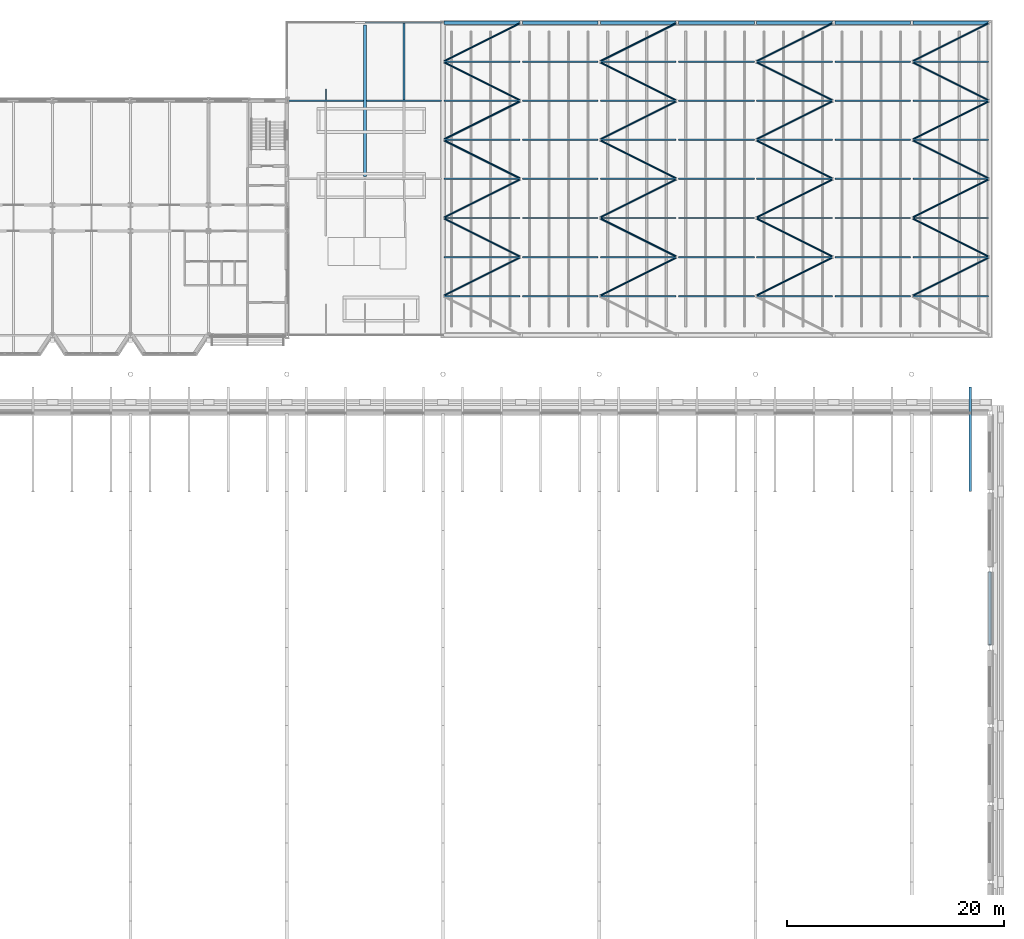
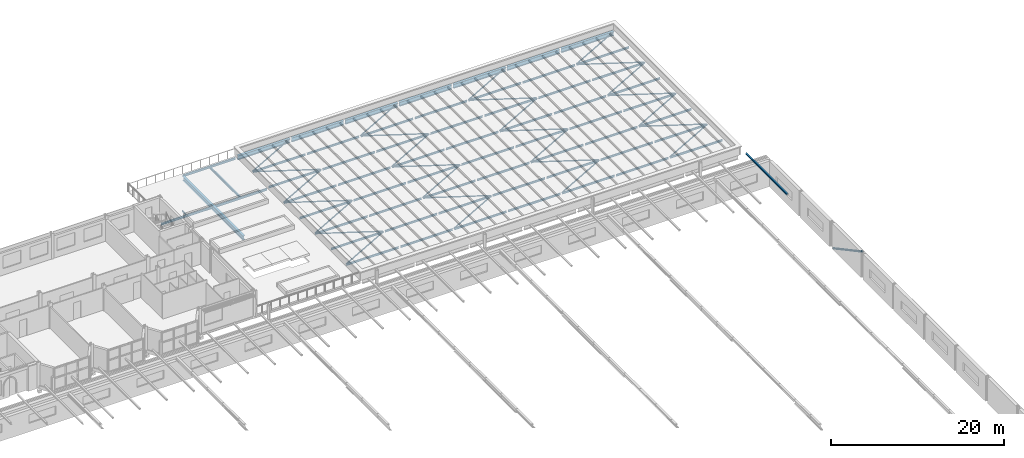
# One storey, part 32 of 110: 79 members, 13 beams.
"""IFC4 building model written with IfcOpenShell, lengths in metres."""

from ifc_helpers import new_model, si_unit, direction, frame, origin, origin_2d, place, context, subcontext, project, spatial, hollow_circle, i_section, extrude, material, material_profile, profile_set, type_object, element, save


model = new_model("IFC4")

# Units and contexts
model_context = context("Model", 3, precision=1e-05, world=origin(), true_north=direction((0.0, 1.0)))
body_context = subcontext(model_context, "Body", "Model", "MODEL_VIEW")
ifc_project = project(units=[si_unit("LENGTHUNIT", "METRE"), si_unit("AREAUNIT", "SQUARE_METRE"), si_unit("VOLUMEUNIT", "CUBIC_METRE"), si_unit("PLANEANGLEUNIT", "RADIAN"), si_unit("MASSUNIT", "GRAM", prefix="KILO")], contexts=[model_context])

# Site, building, storey
site_placement = place(None, origin())
site = spatial("IfcSite", under=ifc_project, at=site_placement, CompositionType="ELEMENT")
building_placement = place(site_placement, origin())
building = spatial("IfcBuilding", under=site, at=building_placement, Name="Kupolbacken Congress Centre", CompositionType="ELEMENT")
storey_placement = place(building_placement, frame((0.0, 0.0, 18.0)))
storey = spatial("IfcBuildingStorey", under=building, at=storey_placement, Name="L05", CompositionType="ELEMENT", Elevation=18.0)

# Beams
ifc_material_1 = material(Name="Steel S355", Category="steel")
ifc_material_profile_1 = material_profile(ifc_material_1, i_section(OverallWidth=0.10009765625, OverallDepth=0.199951171875, WebThickness=0.005615234375, FlangeThickness=0.008544921875, FilletRadius=0.011962890625, at=origin_2d()), Name="IPE 200")
ifc_profile_set_1 = profile_set([ifc_material_profile_1], Name="Steel S355")
beam_type_1 = type_object("IfcBeamType", Name="B01 beam IPE 200", PredefinedType="BEAM", material=ifc_profile_set_1)
beam_1_placement = place(storey_placement, frame((140.39990234375, 144.074951171875, -0.280029296875), z_axis=(0.0, 1.0, 0.0), x_axis=(-1.0, 0.0, 0.0)))
element("IfcBeam", 1, at=beam_1_placement, inside=storey, type_object=beam_type_1, Name="S/floor/BF/L05/S016", PredefinedType="BEAM", context=body_context, shape_type="SweptSolid", body=[
    extrude(i_section(OverallWidth=0.10009765625, OverallDepth=0.199951171875, WebThickness=0.005615234375, FlangeThickness=0.008544921875, FilletRadius=0.011962890625, at=origin_2d()), origin(), (0.0, 0.0, 1.0), 1.0),
])
ifc_material_2 = material(Name="Steel S355", Category="steel")
ifc_material_profile_2 = material_profile(ifc_material_2, i_section(OverallWidth=0.14990234375, OverallDepth=0.300048828125, WebThickness=0.007080078125, FlangeThickness=0.0107421875, FilletRadius=0.014892578125, at=origin_2d()), Name="IPE 300")
ifc_profile_set_2 = profile_set([ifc_material_profile_2], Name="Steel S355")
beam_type_2 = type_object("IfcBeamType", Name="B04 beam IPE 300", PredefinedType="BEAM", material=ifc_profile_set_2)
beam_2_placement = place(storey_placement, frame((136.949951171875, 144.0, -0.330078125), z_axis=(1.0, 0.0, 0.0), x_axis=(0.0, 1.0, 0.0)))
element("IfcBeam", 2, at=beam_2_placement, inside=storey, type_object=beam_type_2, Name="S/floor/BF/L05/R009", PredefinedType="BEAM", context=body_context, shape_type="SweptSolid", body=[
    extrude(i_section(OverallWidth=0.14990234375, OverallDepth=0.300048828125, WebThickness=0.007080078125, FlangeThickness=0.0107421875, FilletRadius=0.014892578125, at=origin_2d()), origin(), (0.0, 0.0, 1.0), 6.900146484375),
])
beam_3_placement = place(storey_placement, frame((144.14990234375, 144.0, -0.330078125), z_axis=(1.0, 0.0, 0.0), x_axis=(0.0, 1.0, 0.0)))
element("IfcBeam", 3, at=beam_3_placement, inside=storey, type_object=beam_type_2, Name="S/floor/BF/L05/R010", PredefinedType="BEAM", context=body_context, shape_type="SweptSolid", body=[
    extrude(i_section(OverallWidth=0.14990234375, OverallDepth=0.300048828125, WebThickness=0.007080078125, FlangeThickness=0.0107421875, FilletRadius=0.014892578125, at=origin_2d()), origin(), (0.0, 0.0, 1.0), 6.93017578125),
])
beam_4_placement = place(storey_placement, frame((144.007080078125, 151.199951171875, -0.330078125), z_axis=(1.0, 0.0, 0.0), x_axis=(0.0, 1.0, 0.0)))
element("IfcBeam", 4, at=beam_4_placement, inside=storey, type_object=beam_type_2, Name="S/floor/BF/L05/R012", PredefinedType="BEAM", context=body_context, shape_type="SweptSolid", body=[
    extrude(i_section(OverallWidth=0.14990234375, OverallDepth=0.300048828125, WebThickness=0.007080078125, FlangeThickness=0.0107421875, FilletRadius=0.014892578125, at=origin_2d()), origin(), (0.0, 0.0, 1.0), 7.072998046875),
])
beam_5_placement = place(storey_placement, frame((147.60009765625, 144.074951171875, -0.330078125), z_axis=(0.0, 1.0, 0.0), x_axis=(-1.0, 0.0, 0.0)))
element("IfcBeam", 5, at=beam_5_placement, inside=storey, type_object=beam_type_2, Name="S/floor/BF/L05/S020", PredefinedType="BEAM", context=body_context, shape_type="SweptSolid", body=[
    extrude(i_section(OverallWidth=0.14990234375, OverallDepth=0.300048828125, WebThickness=0.007080078125, FlangeThickness=0.0107421875, FilletRadius=0.014892578125, at=origin_2d()), origin(), (0.0, 0.0, 1.0), 7.050048828125),
])
ifc_material_3 = material(Name="Steel S355", Category="steel")
ifc_material_profile_3 = material_profile(ifc_material_3, i_section(OverallWidth=0.300048828125, OverallDepth=0.60009765625, WebThickness=0.015380859375, FlangeThickness=0.030029296875, FilletRadius=0.027099609375, at=origin_2d()), Name="HEB 600")
ifc_profile_set_3 = profile_set([ifc_material_profile_3], Name="Steel S355")
beam_type_3 = type_object("IfcBeamType", Name="B15 beam HEB 600", PredefinedType="BEAM", material=ifc_profile_set_3)
beam_6_placement = place(storey_placement, frame((144.0, 137.02490234375, -0.47998046875), z_axis=(0.0, 1.0, 0.0), x_axis=(-1.0, 0.0, 0.0)))
element("IfcBeam", 6, at=beam_6_placement, inside=storey, type_object=beam_type_3, Name="S/floor/BF/L05/G004", PredefinedType="BEAM", context=body_context, shape_type="SweptSolid", body=[
    extrude(i_section(OverallWidth=0.300048828125, OverallDepth=0.60009765625, WebThickness=0.015380859375, FlangeThickness=0.030029296875, FilletRadius=0.027099609375, at=origin_2d()), origin(), (0.0, 0.0, 1.0), 13.9501953125),
])
ifc_material_4 = material(Name="Steel S355", Category="steel")
ifc_material_profile_4 = material_profile(ifc_material_4, i_section(OverallWidth=0.300048828125, OverallDepth=0.590087890625, WebThickness=0.012939453125, FlangeThickness=0.02490234375, FilletRadius=0.027099609375, at=origin_2d()), Name="HEA 600")
ifc_profile_set_4 = profile_set([ifc_material_profile_4], Name="Steel S355")
beam_type_4 = type_object("IfcBeamType", Name="B21 beam HEA 600", PredefinedType="BEAM", material=ifc_profile_set_4)
for number, where, z_axis, x_axis, name in (
    (7, (151.31005859375, 151.199951171875, -0.294921875), (1.0, 0.0, 0.0), (0.0, 1.0, 0.0), "BR/E08-00"),
    (8, (158.510009765625, 151.199951171875, -0.294921875), (1.0, 0.0, 0.0), (0.0, 1.0, 0.0), "BR/E08-01"),
    (9, (165.7099609375, 151.199951171875, -0.294921875), (1.0, 0.0, 0.0), (0.0, 1.0, 0.0), "BR/E08-02"),
    (10, (172.909912109375, 151.199951171875, -0.294921875), (1.0, 0.0, 0.0), (0.0, 1.0, 0.0), "BR/E08-03"),
    (11, (180.110107421875, 151.199951171875, -0.294921875), (1.0, 0.0, 0.0), (0.0, 1.0, 0.0), "BR/E08-04"),
    (12, (187.31005859375, 151.199951171875, -0.294921875), (1.0, 0.0, 0.0), (0.0, 1.0, 0.0), "BR/E08-05"),
    (13, (194.510009765625, 151.199951171875, -0.294921875), (1.0, 0.0, 0.0), (0.0, 1.0, 0.0), "BR/E08-06"),
):
    element("IfcBeam", number, at=place(storey_placement, frame(where, z_axis=z_axis, x_axis=x_axis)), inside=storey, type_object=beam_type_4, Name=name, PredefinedType="BEAM", context=body_context, shape_type="SweptSolid", body=[
        extrude(i_section(OverallWidth=0.300048828125, OverallDepth=0.590087890625, WebThickness=0.012939453125, FlangeThickness=0.02490234375, FilletRadius=0.027099609375, at=origin_2d()), origin(), (0.0, 0.0, 1.0), 6.97998046875),
    ])

# Members
ifc_material_5 = material(Name="Steel S355", Category="steel")
ifc_material_profile_5 = material_profile(ifc_material_5, hollow_circle(Radius=0.136474609375, WallThickness=0.012451171875, at=origin_2d()), Name="CHS 273 x 12.5")
ifc_profile_set_5 = profile_set([ifc_material_profile_5], Name="Steel S355")
member_type_1 = type_object("IfcMemberType", Name="M08 brace CHS 273 x 12.5", PredefinedType="BRACE", material=ifc_profile_set_5)
member_1_placement = place(storey_placement, frame((201.60009765625, 100.554931640625, 0.0), z_axis=(0.0, -0.881180466795, 0.472780059793), x_axis=(1.0, 0.0, 0.0)))
element("IfcMember", 14, at=member_1_placement, inside=storey, type_object=member_type_1, Name="S/brace/E/08/06", PredefinedType="BRACE", context=body_context, shape_type="SweptSolid", body=[
    extrude(hollow_circle(Radius=0.136474609375, WallThickness=0.012451171875, at=origin_2d()), origin(), (0.0, 0.0, 1.0), 7.61474609375),
])
ifc_material_6 = material(Name="Steel S355", Category="steel")
ifc_material_profile_6 = material_profile(ifc_material_6, i_section(OverallWidth=0.135009765625, OverallDepth=0.27001953125, WebThickness=0.006591796875, FlangeThickness=0.01025390625, FilletRadius=0.014892578125, at=origin_2d()), Name="IPE 270")
ifc_profile_set_6 = profile_set([ifc_material_profile_6], Name="Steel S355")
member_type_2 = type_object("IfcMemberType", Name="M13 member IPE 270", PredefinedType="PURLIN", material=ifc_profile_set_6)
for number, where, z_axis, x_axis, name in (
    (15, (151.31005859375, 126.0, -0.135009765625), (1.0, 0.0, 0.0), (0.0, 1.0, 0.0), "BR/P01-00"),
    (16, (158.510009765625, 126.0, -0.135009765625), (1.0, 0.0, 0.0), (0.0, 1.0, 0.0), "BR/P01-01"),
    (17, (165.7099609375, 126.0, -0.135009765625), (1.0, 0.0, 0.0), (0.0, 1.0, 0.0), "BR/P01-02"),
    (18, (172.909912109375, 126.0, -0.135009765625), (1.0, 0.0, 0.0), (0.0, 1.0, 0.0), "BR/P01-03"),
    (19, (180.110107421875, 126.0, -0.135009765625), (1.0, 0.0, 0.0), (0.0, 1.0, 0.0), "BR/P01-04"),
    (20, (187.31005859375, 126.0, -0.135009765625), (1.0, 0.0, 0.0), (0.0, 1.0, 0.0), "BR/P01-05"),
    (21, (194.510009765625, 126.0, -0.135009765625), (1.0, 0.0, 0.0), (0.0, 1.0, 0.0), "BR/P01-06"),
    (22, (151.31005859375, 129.60009765625, -0.135009765625), (1.0, 0.0, 0.0), (0.0, 1.0, 0.0), "BR/P02-00"),
    (23, (158.510009765625, 129.60009765625, -0.135009765625), (1.0, 0.0, 0.0), (0.0, 1.0, 0.0), "BR/P02-01"),
    (24, (165.7099609375, 129.60009765625, -0.135009765625), (1.0, 0.0, 0.0), (0.0, 1.0, 0.0), "BR/P02-02"),
    (25, (172.909912109375, 129.60009765625, -0.135009765625), (1.0, 0.0, 0.0), (0.0, 1.0, 0.0), "BR/P02-03"),
    (26, (180.110107421875, 129.60009765625, -0.135009765625), (1.0, 0.0, 0.0), (0.0, 1.0, 0.0), "BR/P02-04"),
    (27, (187.31005859375, 129.60009765625, -0.135009765625), (1.0, 0.0, 0.0), (0.0, 1.0, 0.0), "BR/P02-05"),
    (28, (194.510009765625, 129.60009765625, -0.135009765625), (1.0, 0.0, 0.0), (0.0, 1.0, 0.0), "BR/P02-06"),
    (29, (151.31005859375, 133.199951171875, -0.135009765625), (1.0, 0.0, 0.0), (0.0, 1.0, 0.0), "BR/P03-00"),
    (30, (158.510009765625, 133.199951171875, -0.135009765625), (1.0, 0.0, 0.0), (0.0, 1.0, 0.0), "BR/P03-01"),
    (31, (165.7099609375, 133.199951171875, -0.135009765625), (1.0, 0.0, 0.0), (0.0, 1.0, 0.0), "BR/P03-02"),
    (32, (172.909912109375, 133.199951171875, -0.135009765625), (1.0, 0.0, 0.0), (0.0, 1.0, 0.0), "BR/P03-03"),
    (33, (180.110107421875, 133.199951171875, -0.135009765625), (1.0, 0.0, 0.0), (0.0, 1.0, 0.0), "BR/P03-04"),
    (34, (187.31005859375, 133.199951171875, -0.135009765625), (1.0, 0.0, 0.0), (0.0, 1.0, 0.0), "BR/P03-05"),
    (35, (194.510009765625, 133.199951171875, -0.135009765625), (1.0, 0.0, 0.0), (0.0, 1.0, 0.0), "BR/P03-06"),
    (36, (151.31005859375, 136.800048828125, -0.135009765625), (1.0, 0.0, 0.0), (0.0, 1.0, 0.0), "BR/P04-00"),
    (37, (158.510009765625, 136.800048828125, -0.135009765625), (1.0, 0.0, 0.0), (0.0, 1.0, 0.0), "BR/P04-01"),
    (38, (165.7099609375, 136.800048828125, -0.135009765625), (1.0, 0.0, 0.0), (0.0, 1.0, 0.0), "BR/P04-02"),
    (39, (172.909912109375, 136.800048828125, -0.135009765625), (1.0, 0.0, 0.0), (0.0, 1.0, 0.0), "BR/P04-03"),
    (40, (180.110107421875, 136.800048828125, -0.135009765625), (1.0, 0.0, 0.0), (0.0, 1.0, 0.0), "BR/P04-04"),
    (41, (187.31005859375, 136.800048828125, -0.135009765625), (1.0, 0.0, 0.0), (0.0, 1.0, 0.0), "BR/P04-05"),
    (42, (194.510009765625, 136.800048828125, -0.135009765625), (1.0, 0.0, 0.0), (0.0, 1.0, 0.0), "BR/P04-06"),
    (43, (151.31005859375, 140.39990234375, -0.135009765625), (1.0, 0.0, 0.0), (0.0, 1.0, 0.0), "BR/P05-00"),
    (44, (158.510009765625, 140.39990234375, -0.135009765625), (1.0, 0.0, 0.0), (0.0, 1.0, 0.0), "BR/P05-01"),
    (45, (165.7099609375, 140.39990234375, -0.135009765625), (1.0, 0.0, 0.0), (0.0, 1.0, 0.0), "BR/P05-02"),
    (46, (172.909912109375, 140.39990234375, -0.135009765625), (1.0, 0.0, 0.0), (0.0, 1.0, 0.0), "BR/P05-03"),
    (47, (180.110107421875, 140.39990234375, -0.135009765625), (1.0, 0.0, 0.0), (0.0, 1.0, 0.0), "BR/P05-04"),
    (48, (187.31005859375, 140.39990234375, -0.135009765625), (1.0, 0.0, 0.0), (0.0, 1.0, 0.0), "BR/P05-05"),
    (49, (194.510009765625, 140.39990234375, -0.135009765625), (1.0, 0.0, 0.0), (0.0, 1.0, 0.0), "BR/P05-06"),
    (50, (151.31005859375, 144.0, -0.135009765625), (1.0, 0.0, 0.0), (0.0, 1.0, 0.0), "BR/P06-00"),
    (51, (158.510009765625, 144.0, -0.135009765625), (1.0, 0.0, 0.0), (0.0, 1.0, 0.0), "BR/P06-01"),
    (52, (165.7099609375, 144.0, -0.135009765625), (1.0, 0.0, 0.0), (0.0, 1.0, 0.0), "BR/P06-02"),
    (53, (172.909912109375, 144.0, -0.135009765625), (1.0, 0.0, 0.0), (0.0, 1.0, 0.0), "BR/P06-03"),
    (54, (180.110107421875, 144.0, -0.135009765625), (1.0, 0.0, 0.0), (0.0, 1.0, 0.0), "BR/P06-04"),
    (55, (187.31005859375, 144.0, -0.135009765625), (1.0, 0.0, 0.0), (0.0, 1.0, 0.0), "BR/P06-05"),
    (56, (194.510009765625, 144.0, -0.135009765625), (1.0, 0.0, 0.0), (0.0, 1.0, 0.0), "BR/P06-06"),
    (57, (151.31005859375, 147.60009765625, -0.135009765625), (1.0, 0.0, 0.0), (0.0, 1.0, 0.0), "BR/P07-00"),
    (58, (158.510009765625, 147.60009765625, -0.135009765625), (1.0, 0.0, 0.0), (0.0, 1.0, 0.0), "BR/P07-01"),
    (59, (165.7099609375, 147.60009765625, -0.135009765625), (1.0, 0.0, 0.0), (0.0, 1.0, 0.0), "BR/P07-02"),
    (60, (172.909912109375, 147.60009765625, -0.135009765625), (1.0, 0.0, 0.0), (0.0, 1.0, 0.0), "BR/P07-03"),
    (61, (180.110107421875, 147.60009765625, -0.135009765625), (1.0, 0.0, 0.0), (0.0, 1.0, 0.0), "BR/P07-04"),
    (62, (187.31005859375, 147.60009765625, -0.135009765625), (1.0, 0.0, 0.0), (0.0, 1.0, 0.0), "BR/P07-05"),
    (63, (194.510009765625, 147.60009765625, -0.135009765625), (1.0, 0.0, 0.0), (0.0, 1.0, 0.0), "BR/P07-06"),
):
    element("IfcMember", number, at=place(storey_placement, frame(where, z_axis=z_axis, x_axis=x_axis)), inside=storey, type_object=member_type_2, Name=name, PredefinedType="PURLIN", context=body_context, shape_type="SweptSolid", body=[
        extrude(i_section(OverallWidth=0.135009765625, OverallDepth=0.27001953125, WebThickness=0.006591796875, FlangeThickness=0.01025390625, FilletRadius=0.014892578125, at=origin_2d()), origin(), (0.0, 0.0, 1.0), 6.97998046875),
    ])
ifc_material_7 = material(Name="Steel S355", Category="steel")
ifc_material_profile_7 = material_profile(ifc_material_7, i_section(OverallWidth=0.199951171875, OverallDepth=0.18994140625, WebThickness=0.006591796875, FlangeThickness=0.010009765625, FilletRadius=0.01806640625, at=origin_2d()), Name="HEA 200")
ifc_profile_set_7 = profile_set([ifc_material_profile_7], Name="Steel S355")
member_type_3 = type_object("IfcMemberType", Name="M14 member HEA 200", PredefinedType="BRACE", material=ifc_profile_set_7)
member_2_placement = place(storey_placement, frame((199.800048828125, 108.0, 3.68505859375), z_axis=(0.0, 1.0, 0.0), x_axis=(-1.0, 0.0, 0.0)))
element("IfcMember", 64, at=member_2_placement, inside=storey, type_object=member_type_3, Name="HE/N32", PredefinedType="BRACE", context=body_context, shape_type="SweptSolid", body=[
    extrude(i_section(OverallWidth=0.199951171875, OverallDepth=0.18994140625, WebThickness=0.006591796875, FlangeThickness=0.010009765625, FilletRadius=0.01806640625, at=origin_2d()), origin(), (0.0, 0.0, 1.0), 9.60009765625),
])
ifc_material_8 = material(Name="Steel S355", Category="steel")
ifc_material_profile_8 = material_profile(ifc_material_8, hollow_circle(Radius=0.084228515625, WallThickness=0.008056640625, at=origin_2d()), Name="CHS 168.3 x 8")
ifc_profile_set_8 = profile_set([ifc_material_profile_8], Name="Steel S355")
member_type_4 = type_object("IfcMemberType", Name="M21 brace CHS 168.3 x 8", PredefinedType="BRACE", material=ifc_profile_set_8)
for number, where, z_axis, x_axis, name in (
    (65, (151.29833984375, 126.049072265625, -0.084228515625), (0.894420954755, 0.447226067772, 0.0), (-0.447226067772, 0.894420954755, 0.0), "BR/RB/01-01"),
    (66, (158.301513671875, 129.649169921875, -0.084228515625), (-0.894420954755, 0.447226067772, 0.0), (-0.447226067772, -0.894420954755, 0.0), "BR/RB/01-02"),
    (67, (151.29833984375, 133.249267578125, -0.084228515625), (0.894433427158, 0.447201122967, 0.0), (-0.447201122967, 0.894433427158, 0.0), "BR/RB/01-03"),
    (68, (158.301513671875, 136.84912109375, -0.084228515625), (-0.894420954755, 0.447226067772, 0.0), (-0.447226067772, -0.894420954755, 0.0), "BR/RB/01-04"),
    (69, (151.29833984375, 140.44921875, -0.084228515625), (0.894420954755, 0.447226067772, 0.0), (-0.447226067772, 0.894420954755, 0.0), "BR/RB/01-05"),
    (70, (158.301513671875, 144.049072265625, -0.084228515625), (-0.894420954755, 0.447226067772, 0.0), (-0.447226067772, -0.894420954755, 0.0), "BR/RB/01-06"),
    (71, (151.29833984375, 147.649169921875, -0.084228515625), (0.894420954755, 0.447226067772, 0.0), (-0.447226067772, 0.894420954755, 0.0), "BR/RB/01-07"),
    (72, (165.698486328125, 126.049072265625, -0.084228515625), (0.894420954755, 0.447226067772, 0.0), (-0.447226067772, 0.894420954755, 0.0), "BR/RB/03-01"),
    (73, (172.70166015625, 129.649169921875, -0.084228515625), (-0.894420954755, 0.447226067772, 0.0), (-0.447226067772, -0.894420954755, 0.0), "BR/RB/03-02"),
    (74, (165.698486328125, 133.249267578125, -0.084228515625), (0.894433427158, 0.447201122967, 0.0), (-0.447201122967, 0.894433427158, 0.0), "BR/RB/03-03"),
    (75, (172.70166015625, 136.84912109375, -0.084228515625), (-0.894420954755, 0.447226067772, 0.0), (-0.447226067772, -0.894420954755, 0.0), "BR/RB/03-04"),
    (76, (165.698486328125, 140.44921875, -0.084228515625), (0.894420954755, 0.447226067772, 0.0), (-0.447226067772, 0.894420954755, 0.0), "BR/RB/03-05"),
    (77, (172.70166015625, 144.049072265625, -0.084228515625), (-0.894420954755, 0.447226067772, 0.0), (-0.447226067772, -0.894420954755, 0.0), "BR/RB/03-06"),
    (78, (165.698486328125, 147.649169921875, -0.084228515625), (0.894420954755, 0.447226067772, 0.0), (-0.447226067772, 0.894420954755, 0.0), "BR/RB/03-07"),
    (79, (180.098388671875, 126.049072265625, -0.084228515625), (0.894420954755, 0.447226067772, 0.0), (-0.447226067772, 0.894420954755, 0.0), "BR/RB/05-01"),
    (80, (187.1015625, 129.649169921875, -0.084228515625), (-0.894420954755, 0.447226067772, 0.0), (-0.447226067772, -0.894420954755, 0.0), "BR/RB/05-02"),
    (81, (180.098388671875, 133.249267578125, -0.084228515625), (0.894433427158, 0.447201122967, 0.0), (-0.447201122967, 0.894433427158, 0.0), "BR/RB/05-03"),
    (82, (187.1015625, 136.84912109375, -0.084228515625), (-0.894420954755, 0.447226067772, 0.0), (-0.447226067772, -0.894420954755, 0.0), "BR/RB/05-04"),
    (83, (180.098388671875, 140.44921875, -0.084228515625), (0.894420954755, 0.447226067772, 0.0), (-0.447226067772, 0.894420954755, 0.0), "BR/RB/05-05"),
    (84, (187.1015625, 144.049072265625, -0.084228515625), (-0.894420954755, 0.447226067772, 0.0), (-0.447226067772, -0.894420954755, 0.0), "BR/RB/05-06"),
    (85, (180.098388671875, 147.649169921875, -0.084228515625), (0.894420954755, 0.447226067772, 0.0), (-0.447226067772, 0.894420954755, 0.0), "BR/RB/05-07"),
):
    element("IfcMember", number, at=place(storey_placement, frame(where, z_axis=z_axis, x_axis=x_axis)), inside=storey, type_object=member_type_4, Name=name, PredefinedType="BRACE", context=body_context, shape_type="SweptSolid", body=[
        extrude(hollow_circle(Radius=0.084228515625, WallThickness=0.008056640625, at=origin_2d()), origin(), (0.0, 0.0, 1.0), 7.829833984375),
    ])
for number, where, z_axis, x_axis, name in (
    (86, (194.498291015625, 126.049072265625, -0.084228515625), (0.894427191, 0.4472135955, 0.0), (-0.4472135955, 0.894427191, 0.0), "BR/RB/07-01"),
    (87, (201.501708984375, 129.649169921875, -0.084228515625), (-0.894427191, 0.4472135955, 0.0), (-0.4472135955, -0.894427191, 0.0), "BR/RB/07-02"),
):
    element("IfcMember", number, at=place(storey_placement, frame(where, z_axis=z_axis, x_axis=x_axis)), inside=storey, type_object=member_type_4, Name=name, PredefinedType="BRACE", context=body_context, shape_type="SweptSolid", body=[
        extrude(hollow_circle(Radius=0.084228515625, WallThickness=0.008056640625, at=origin_2d()), origin(), (0.0, 0.0, 1.0), 7.830078125),
    ])
member_3_placement = place(storey_placement, frame((194.498291015625, 133.249267578125, -0.084228515625), z_axis=(0.894439662794, 0.447188651042, 0.0), x_axis=(-0.447188651042, 0.894439662794, 0.0)))
element("IfcMember", 88, at=member_3_placement, inside=storey, type_object=member_type_4, Name="BR/RB/07-03", PredefinedType="BRACE", context=body_context, shape_type="SweptSolid", body=[
    extrude(hollow_circle(Radius=0.084228515625, WallThickness=0.008056640625, at=origin_2d()), origin(), (0.0, 0.0, 1.0), 7.829833984375),
])
for number, where, z_axis, x_axis, name in (
    (89, (201.501708984375, 136.84912109375, -0.084228515625), (-0.894427191, 0.4472135955, 0.0), (-0.4472135955, -0.894427191, 0.0), "BR/RB/07-04"),
    (90, (194.498291015625, 140.44921875, -0.084228515625), (0.894427191, 0.4472135955, 0.0), (-0.4472135955, 0.894427191, 0.0), "BR/RB/07-05"),
    (91, (201.501708984375, 144.049072265625, -0.084228515625), (-0.894427191, 0.4472135955, 0.0), (-0.4472135955, -0.894427191, 0.0), "BR/RB/07-06"),
    (92, (194.498291015625, 147.649169921875, -0.084228515625), (0.894427191, 0.4472135955, 0.0), (-0.4472135955, 0.894427191, 0.0), "BR/RB/07-07"),
):
    element("IfcMember", number, at=place(storey_placement, frame(where, z_axis=z_axis, x_axis=x_axis)), inside=storey, type_object=member_type_4, Name=name, PredefinedType="BRACE", context=body_context, shape_type="SweptSolid", body=[
        extrude(hollow_circle(Radius=0.084228515625, WallThickness=0.008056640625, at=origin_2d()), origin(), (0.0, 0.0, 1.0), 7.830078125),
    ])

save(model, "model.ifc")
